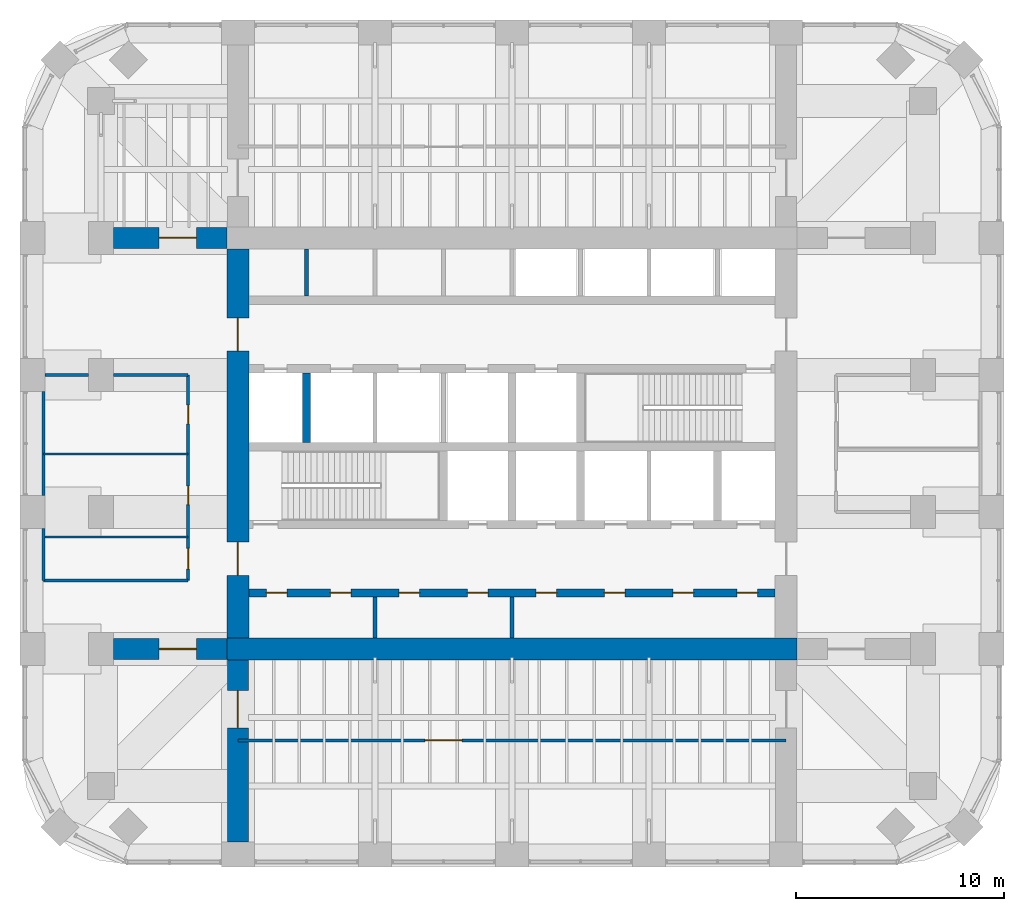
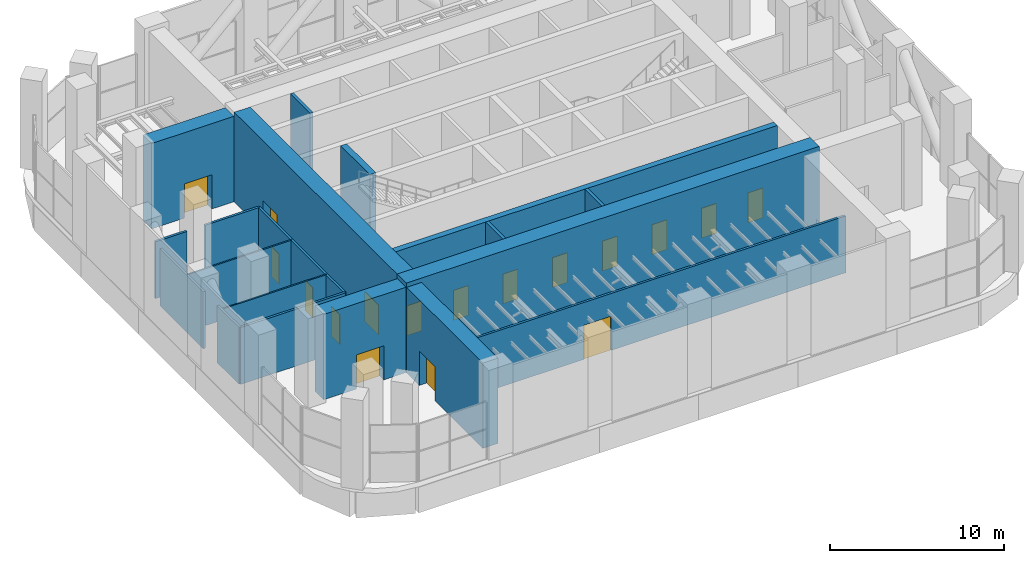
# One storey, part 11 of 15: 19 walls, 17 doors, 17 openings.
"""IFC4 building model written with IfcOpenShell, lengths in metres."""

from ifc_helpers import new_model, si_unit, direction, frame, frame_2d, origin, place, context, subcontext, project, spatial, rectangle, extrude, material, layer, layer_set, type_object, element, fill, save


model = new_model("IFC4")

# Units and contexts
model_context = context("Model", 3, precision=1e-05, world=origin(), true_north=direction((0.0, 1.0)))
body_context = subcontext(model_context, "Body", "Model", "MODEL_VIEW")
ifc_project = project(units=[si_unit("LENGTHUNIT", "METRE"), si_unit("AREAUNIT", "SQUARE_METRE"), si_unit("VOLUMEUNIT", "CUBIC_METRE"), si_unit("PLANEANGLEUNIT", "RADIAN"), si_unit("MASSUNIT", "GRAM", prefix="KILO")], contexts=[model_context])

# Site, building, storey
site_placement = place(None, origin())
site = spatial("IfcSite", under=ifc_project, at=site_placement, CompositionType="ELEMENT")
building_placement = place(site_placement, origin())
building = spatial("IfcBuilding", under=site, at=building_placement, Name="Cobogo Forest Laboratory Tower", CompositionType="ELEMENT")
storey_placement = place(building_placement, frame((0.0, 0.0, 222.89990234375)))
storey = spatial("IfcBuildingStorey", under=building, at=storey_placement, Name="L51", CompositionType="ELEMENT", Elevation=222.89990234375)

# Wall, openings, doors
ifc_material_1 = material(Name="Concrete HA-50 (C50/60)", Category="concrete")
ifc_layer_1 = layer(ifc_material_1, 0.39990234375)
ifc_layer_set_1 = layer_set([ifc_layer_1], Name="CI400 core inner wall 400")
wall_type_1 = type_object("IfcWallType", Name="CI400 core inner wall 400", PredefinedType="SHEAR", material=ifc_layer_set_1)
wall_1_placement = place(storey_placement, frame((13.72509765625, 15.89990234375, 0.0), z_axis=(0.0, 0.0, 1.0), x_axis=(1.0, 0.0, 0.0)))
wall_1 = element("IfcWall", 1, at=wall_1_placement, inside=storey, type_object=wall_type_1, Name="Core wall CI-15.9 L51", PredefinedType="SHEAR", context=body_context, shape_type="SweptSolid", body=[
    extrude(rectangle(XDim=25.349853515625, YDim=0.39990234375, at=frame_2d((12.6748046875, 0.0))), origin(), (0.0, 0.0, 1.0), 6.300048828125),
])
opening_1_placement = place(wall_1_placement, frame((0.83740234375, 0.0, 0.0)))
opening_1 = element("IfcOpeningElement", 2, at=opening_1_placement, cuts=wall_1, Name="Opening L51-D06", PredefinedType="OPENING", context=body_context, shape_type="SweptSolid", body=[
    extrude(rectangle(XDim=1.0, YDim=2.10009765625, at=frame_2d((0.5, 1.050048828125))), frame((0.0, 0.2099609375, 0.0), z_axis=(0.0, -1.0, 0.0), x_axis=(1.0, 0.0, 0.0)), (0.0, 0.0, 1.0), 0.419921875),
])
opening_2_placement = place(wall_1_placement, frame((3.925048828125, 0.0, 0.0)))
opening_2 = element("IfcOpeningElement", 3, at=opening_2_placement, cuts=wall_1, Name="Opening L51-D07", PredefinedType="OPENING", context=body_context, shape_type="SweptSolid", body=[
    extrude(rectangle(XDim=1.0, YDim=2.10009765625, at=frame_2d((0.5, 1.050048828125))), frame((0.0, 0.2099609375, 0.0), z_axis=(0.0, -1.0, 0.0), x_axis=(1.0, 0.0, 0.0)), (0.0, 0.0, 1.0), 0.419921875),
])
opening_3_placement = place(wall_1_placement, frame((7.22509765625, 0.0, 0.0)))
opening_3 = element("IfcOpeningElement", 4, at=opening_3_placement, cuts=wall_1, Name="Opening L51-D08", PredefinedType="OPENING", context=body_context, shape_type="SweptSolid", body=[
    extrude(rectangle(XDim=1.0, YDim=2.10009765625, at=frame_2d((0.5, 1.050048828125))), frame((0.0, 0.2099609375, 0.0), z_axis=(0.0, -1.0, 0.0), x_axis=(1.0, 0.0, 0.0)), (0.0, 0.0, 1.0), 0.419921875),
])
opening_4_placement = place(wall_1_placement, frame((10.52490234375, 0.0, 0.0)))
opening_4 = element("IfcOpeningElement", 5, at=opening_4_placement, cuts=wall_1, Name="Opening L51-D09", PredefinedType="OPENING", context=body_context, shape_type="SweptSolid", body=[
    extrude(rectangle(XDim=1.0, YDim=2.10009765625, at=frame_2d((0.5, 1.050048828125))), frame((0.0, 0.2099609375, 0.0), z_axis=(0.0, -1.0, 0.0), x_axis=(1.0, 0.0, 0.0)), (0.0, 0.0, 1.0), 0.419921875),
])
opening_5_placement = place(wall_1_placement, frame((13.824951171875, 0.0, 0.0)))
opening_5 = element("IfcOpeningElement", 6, at=opening_5_placement, cuts=wall_1, Name="Opening L51-D10", PredefinedType="OPENING", context=body_context, shape_type="SweptSolid", body=[
    extrude(rectangle(XDim=1.0, YDim=2.10009765625, at=frame_2d((0.5, 1.050048828125))), frame((0.0, 0.2099609375, 0.0), z_axis=(0.0, -1.0, 0.0), x_axis=(1.0, 0.0, 0.0)), (0.0, 0.0, 1.0), 0.419921875),
])
opening_6_placement = place(wall_1_placement, frame((17.125, 0.0, 0.0)))
opening_6 = element("IfcOpeningElement", 7, at=opening_6_placement, cuts=wall_1, Name="Opening L51-D11", PredefinedType="OPENING", context=body_context, shape_type="SweptSolid", body=[
    extrude(rectangle(XDim=1.0, YDim=2.10009765625, at=frame_2d((0.5, 1.050048828125))), frame((0.0, 0.2099609375, 0.0), z_axis=(0.0, -1.0, 0.0), x_axis=(1.0, 0.0, 0.0)), (0.0, 0.0, 1.0), 0.419921875),
])
opening_7_placement = place(wall_1_placement, frame((20.425048828125, 0.0, 0.0)))
opening_7 = element("IfcOpeningElement", 8, at=opening_7_placement, cuts=wall_1, Name="Opening L51-D12", PredefinedType="OPENING", context=body_context, shape_type="SweptSolid", body=[
    extrude(rectangle(XDim=1.0, YDim=2.10009765625, at=frame_2d((0.5, 1.050048828125))), frame((0.0, 0.2099609375, 0.0), z_axis=(0.0, -1.0, 0.0), x_axis=(1.0, 0.0, 0.0)), (0.0, 0.0, 1.0), 0.419921875),
])
opening_8_placement = place(wall_1_placement, frame((23.512451171875, 0.0, 0.0)))
opening_8 = element("IfcOpeningElement", 9, at=opening_8_placement, cuts=wall_1, Name="Opening L51-D13", PredefinedType="OPENING", context=body_context, shape_type="SweptSolid", body=[
    extrude(rectangle(XDim=1.0, YDim=2.10009765625, at=frame_2d((0.5, 1.050048828125))), frame((0.0, 0.2099609375, 0.0), z_axis=(0.0, -1.0, 0.0), x_axis=(1.0, 0.0, 0.0)), (0.0, 0.0, 1.0), 0.419921875),
])
ifc_material_2 = material(Name="Steel fire door", Category="steel")
door_type_1 = type_object("IfcDoorType", Name="FD1 fire door 1000 EI2 60", OperationType="SINGLE_SWING_LEFT", PredefinedType="DOOR", material=ifc_material_2)
door_1_placement = place(opening_1_placement, origin())
door_1 = element("IfcDoor", 10, at=door_1_placement, inside=storey, type_object=door_type_1, Name="Door L51-SH-LA1", OperationType="SINGLE_SWING_LEFT", OverallHeight=2.10009765625, OverallWidth=1.0, PredefinedType="DOOR", context=body_context, shape_type="SweptSolid", body=[
    extrude(rectangle(XDim=1.0, YDim=2.10009765625, at=frame_2d((0.5, 1.050048828125))), frame((0.0, 0.02490234375, 0.0), z_axis=(0.0, -1.0, 0.0), x_axis=(1.0, 0.0, 0.0)), (0.0, 0.0, 1.0), 0.050048828125),
])
fill(opening_1, door_1)
door_2_placement = place(opening_2_placement, origin())
door_2 = element("IfcDoor", 11, at=door_2_placement, inside=storey, type_object=door_type_1, Name="Door L51-SH-LA2", OperationType="SINGLE_SWING_LEFT", OverallHeight=2.10009765625, OverallWidth=1.0, PredefinedType="DOOR", context=body_context, shape_type="SweptSolid", body=[
    extrude(rectangle(XDim=1.0, YDim=2.10009765625, at=frame_2d((0.5, 1.050048828125))), frame((0.0, 0.02490234375, 0.0), z_axis=(0.0, -1.0, 0.0), x_axis=(1.0, 0.0, 0.0)), (0.0, 0.0, 1.0), 0.050048828125),
])
fill(opening_2, door_2)
door_3_placement = place(opening_3_placement, origin())
door_3 = element("IfcDoor", 12, at=door_3_placement, inside=storey, type_object=door_type_1, Name="Door L51-SH-LA3", OperationType="SINGLE_SWING_LEFT", OverallHeight=2.10009765625, OverallWidth=1.0, PredefinedType="DOOR", context=body_context, shape_type="SweptSolid", body=[
    extrude(rectangle(XDim=1.0, YDim=2.10009765625, at=frame_2d((0.5, 1.050048828125))), frame((0.0, 0.02490234375, 0.0), z_axis=(0.0, -1.0, 0.0), x_axis=(1.0, 0.0, 0.0)), (0.0, 0.0, 1.0), 0.050048828125),
])
fill(opening_3, door_3)
door_4_placement = place(opening_4_placement, origin())
door_4 = element("IfcDoor", 13, at=door_4_placement, inside=storey, type_object=door_type_1, Name="Door L51-SH-LA4", OperationType="SINGLE_SWING_LEFT", OverallHeight=2.10009765625, OverallWidth=1.0, PredefinedType="DOOR", context=body_context, shape_type="SweptSolid", body=[
    extrude(rectangle(XDim=1.0, YDim=2.10009765625, at=frame_2d((0.5, 1.050048828125))), frame((0.0, 0.02490234375, 0.0), z_axis=(0.0, -1.0, 0.0), x_axis=(1.0, 0.0, 0.0)), (0.0, 0.0, 1.0), 0.050048828125),
])
fill(opening_4, door_4)
door_5_placement = place(opening_5_placement, origin())
door_5 = element("IfcDoor", 14, at=door_5_placement, inside=storey, type_object=door_type_1, Name="Door L51-SH-LB1", OperationType="SINGLE_SWING_RIGHT", OverallHeight=2.10009765625, OverallWidth=1.0, PredefinedType="DOOR", context=body_context, shape_type="SweptSolid", body=[
    extrude(rectangle(XDim=1.0, YDim=2.10009765625, at=frame_2d((0.5, 1.050048828125))), frame((0.0, 0.02490234375, 0.0), z_axis=(0.0, -1.0, 0.0), x_axis=(1.0, 0.0, 0.0)), (0.0, 0.0, 1.0), 0.050048828125),
])
fill(opening_5, door_5)
door_6_placement = place(opening_6_placement, origin())
door_6 = element("IfcDoor", 15, at=door_6_placement, inside=storey, type_object=door_type_1, Name="Door L51-SH-LB2", OperationType="SINGLE_SWING_RIGHT", OverallHeight=2.10009765625, OverallWidth=1.0, PredefinedType="DOOR", context=body_context, shape_type="SweptSolid", body=[
    extrude(rectangle(XDim=1.0, YDim=2.10009765625, at=frame_2d((0.5, 1.050048828125))), frame((0.0, 0.02490234375, 0.0), z_axis=(0.0, -1.0, 0.0), x_axis=(1.0, 0.0, 0.0)), (0.0, 0.0, 1.0), 0.050048828125),
])
fill(opening_6, door_6)
door_7_placement = place(opening_7_placement, origin())
door_7 = element("IfcDoor", 16, at=door_7_placement, inside=storey, type_object=door_type_1, Name="Door L51-SH-LB3", OperationType="SINGLE_SWING_RIGHT", OverallHeight=2.10009765625, OverallWidth=1.0, PredefinedType="DOOR", context=body_context, shape_type="SweptSolid", body=[
    extrude(rectangle(XDim=1.0, YDim=2.10009765625, at=frame_2d((0.5, 1.050048828125))), frame((0.0, 0.02490234375, 0.0), z_axis=(0.0, -1.0, 0.0), x_axis=(1.0, 0.0, 0.0)), (0.0, 0.0, 1.0), 0.050048828125),
])
fill(opening_7, door_7)
door_8_placement = place(opening_8_placement, origin())
door_8 = element("IfcDoor", 17, at=door_8_placement, inside=storey, type_object=door_type_1, Name="Door L51-SH-LB4", OperationType="SINGLE_SWING_RIGHT", OverallHeight=2.10009765625, OverallWidth=1.0, PredefinedType="DOOR", context=body_context, shape_type="SweptSolid", body=[
    extrude(rectangle(XDim=1.0, YDim=2.10009765625, at=frame_2d((0.5, 1.050048828125))), frame((0.0, 0.02490234375, 0.0), z_axis=(0.0, -1.0, 0.0), x_axis=(1.0, 0.0, 0.0)), (0.0, 0.0, 1.0), 0.050048828125),
])
fill(opening_8, door_8)

# Walls
wall_2_placement = place(storey_placement, frame((16.5, 23.14990234375, 0.0), z_axis=(0.0, 0.0, 1.0), x_axis=(0.0, 1.0, 0.0)))
element("IfcWall", 18, at=wall_2_placement, inside=storey, type_object=wall_type_1, Name="Core wall CX-16.5 L51", PredefinedType="SHEAR", context=body_context, shape_type="SweptSolid", body=[
    extrude(rectangle(XDim=3.35009765625, YDim=0.39990234375, at=frame_2d((1.675048828125, 0.0))), origin(), (0.0, 0.0, 1.0), 6.300048828125),
])
ifc_layer_2 = layer(ifc_material_1, 1.050048828125)
ifc_layer_set_2 = layer_set([ifc_layer_2], Name="CW1050 core outer wall 1050")
wall_type_2 = type_object("IfcWallType", Name="CW1050 core outer wall 1050", PredefinedType="SHEAR", material=ifc_layer_set_2)
wall_3_placement = place(storey_placement, frame((12.675048828125, 13.199951171875, 0.0), z_axis=(0.0, 0.0, 1.0), x_axis=(1.0, 0.0, 0.0)))
element("IfcWall", 19, at=wall_3_placement, inside=storey, type_object=wall_type_2, Name="Core wall CO-S L51", PredefinedType="SHEAR", context=body_context, shape_type="SweptSolid", body=[
    extrude(rectangle(XDim=27.449951171875, YDim=1.050048828125, at=frame_2d((13.72509765625, 0.0))), origin(), (0.0, 0.0, 1.0), 6.300048828125),
])

# Wall, openings, doors
wall_4_placement = place(storey_placement, frame((13.199951171875, 32.47509765625, 0.0), z_axis=(0.0, 0.0, 1.0), x_axis=(0.0, -1.0, 0.0)))
wall_4 = element("IfcWall", 20, at=wall_4_placement, inside=storey, type_object=wall_type_2, Name="Core wall CO-W L51", PredefinedType="SHEAR", context=body_context, shape_type="SweptSolid", body=[
    extrude(rectangle(XDim=18.75, YDim=1.050048828125, at=frame_2d((9.375, 0.0))), origin(), (0.0, 0.0, 1.0), 6.300048828125),
])
opening_9_placement = place(wall_4_placement, frame((14.125, 0.0, 0.0)))
opening_9 = element("IfcOpeningElement", 21, at=opening_9_placement, cuts=wall_4, Name="Opening L51-D15", PredefinedType="OPENING", context=body_context, shape_type="SweptSolid", body=[
    extrude(rectangle(XDim=1.60009765625, YDim=2.10009765625, at=frame_2d((0.800048828125, 1.050048828125))), frame((0.0, 0.534912109375, 0.0), z_axis=(0.0, -1.0, 0.0), x_axis=(1.0, 0.0, 0.0)), (0.0, 0.0, 1.0), 1.070068359375),
])
opening_10_placement = place(wall_4_placement, frame((3.324951171875, 0.0, 0.0)))
opening_10 = element("IfcOpeningElement", 22, at=opening_10_placement, cuts=wall_4, Name="Opening L51-D25", PredefinedType="OPENING", context=body_context, shape_type="SweptSolid", body=[
    extrude(rectangle(XDim=1.60009765625, YDim=2.10009765625, at=frame_2d((0.800048828125, 1.050048828125))), frame((0.0, 0.534912109375, 0.0), z_axis=(0.0, -1.0, 0.0), x_axis=(1.0, 0.0, 0.0)), (0.0, 0.0, 1.0), 1.070068359375),
])
door_type_2 = type_object("IfcDoorType", Name="DS2 protected lobby door pair 1600 EI2 60", OperationType="DOUBLE_DOOR_DOUBLE_SWING", PredefinedType="DOOR", material=ifc_material_2)
door_9_placement = place(opening_9_placement, origin())
door_9 = element("IfcDoor", 23, at=door_9_placement, inside=storey, type_object=door_type_2, Name="Door L51-CO-W-S", OperationType="DOUBLE_DOOR_DOUBLE_SWING", OverallHeight=2.10009765625, OverallWidth=1.60009765625, PredefinedType="DOOR", context=body_context, shape_type="SweptSolid", body=[
    extrude(rectangle(XDim=1.60009765625, YDim=2.10009765625, at=frame_2d((0.800048828125, 1.050048828125))), frame((0.0, 0.02490234375, 0.0), z_axis=(0.0, -1.0, 0.0), x_axis=(1.0, 0.0, 0.0)), (0.0, 0.0, 1.0), 0.050048828125),
])
fill(opening_9, door_9)
door_10_placement = place(opening_10_placement, origin())
door_10 = element("IfcDoor", 24, at=door_10_placement, inside=storey, type_object=door_type_2, Name="Door L51-CO-W-N", OperationType="DOUBLE_DOOR_DOUBLE_SWING", OverallHeight=2.10009765625, OverallWidth=1.60009765625, PredefinedType="DOOR", context=body_context, shape_type="SweptSolid", body=[
    extrude(rectangle(XDim=1.60009765625, YDim=2.10009765625, at=frame_2d((0.800048828125, 1.050048828125))), frame((0.0, 0.02490234375, 0.0), z_axis=(0.0, -1.0, 0.0), x_axis=(1.0, 0.0, 0.0)), (0.0, 0.0, 1.0), 0.050048828125),
])
fill(opening_10, door_10)

# Wall, opening, door
ifc_layer_3 = layer(ifc_material_1, 1.0)
ifc_layer_set_3 = layer_set([ifc_layer_3], Name="Outrigger wall 1000")
wall_type_3 = type_object("IfcWallType", Name="Outrigger wall 1000", PredefinedType="SHEAR", material=ifc_layer_set_3)
wall_5_placement = place(storey_placement, frame((13.199951171875, 12.675048828125, 0.0), z_axis=(0.0, 0.0, 1.0), x_axis=(0.0, -1.0, 0.0)))
wall_5 = element("IfcWall", 25, at=wall_5_placement, inside=storey, type_object=wall_type_3, Name="Outrigger wall OR-S3 L51", PredefinedType="SHEAR", context=body_context, shape_type="SweptSolid", body=[
    extrude(rectangle(XDim=8.775146484375, YDim=1.0, at=frame_2d((4.3876953125, 0.0))), origin(), (0.0, 0.0, 1.0), 6.0),
])
opening_11_placement = place(wall_5_placement, frame((1.47509765625, 0.0, 0.0)))
opening_11 = element("IfcOpeningElement", 26, at=opening_11_placement, cuts=wall_5, Name="Opening L51-D02", PredefinedType="OPENING", context=body_context, shape_type="SweptSolid", body=[
    extrude(rectangle(XDim=1.800048828125, YDim=2.39990234375, at=frame_2d((0.89990234375, 1.199951171875))), frame((0.0, 0.510009765625, 0.0), z_axis=(0.0, -1.0, 0.0), x_axis=(1.0, 0.0, 0.0)), (0.0, 0.0, 1.0), 1.02001953125),
])
door_type_3 = type_object("IfcDoorType", Name="PD1 plant door pair 1800 EI2 60", OperationType="DOUBLE_DOOR_SINGLE_SWING", PredefinedType="DOOR", material=ifc_material_2)
door_11_placement = place(opening_11_placement, origin())
door_11 = element("IfcDoor", 27, at=door_11_placement, inside=storey, type_object=door_type_3, Name="Door L51-OR-S3", OperationType="DOUBLE_DOOR_SINGLE_SWING", OverallHeight=2.39990234375, OverallWidth=1.800048828125, PredefinedType="DOOR", context=body_context, shape_type="SweptSolid", body=[
    extrude(rectangle(XDim=1.800048828125, YDim=2.39990234375, at=frame_2d((0.89990234375, 1.199951171875))), frame((0.0, 0.02490234375, 0.0), z_axis=(0.0, -1.0, 0.0), x_axis=(1.0, 0.0, 0.0)), (0.0, 0.0, 1.0), 0.050048828125),
])
fill(opening_11, door_11)

wall_6_placement = place(storey_placement, frame((12.675048828125, 13.199951171875, 0.0), z_axis=(0.0, 0.0, 1.0), x_axis=(-1.0, 0.0, 0.0)))
wall_6 = element("IfcWall", 28, at=wall_6_placement, inside=storey, type_object=wall_type_3, Name="Outrigger wall OR-WC L51", PredefinedType="SHEAR", context=body_context, shape_type="SweptSolid", body=[
    extrude(rectangle(XDim=5.47509765625, YDim=1.0, at=frame_2d((2.737548828125, 0.0))), origin(), (0.0, 0.0, 1.0), 6.0),
])
opening_12_placement = place(wall_6_placement, frame((1.47509765625, 0.0, 0.0)))
opening_12 = element("IfcOpeningElement", 29, at=opening_12_placement, cuts=wall_6, Name="Opening L51-D04", PredefinedType="OPENING", context=body_context, shape_type="SweptSolid", body=[
    extrude(rectangle(XDim=1.800048828125, YDim=2.39990234375, at=frame_2d((0.89990234375, 1.199951171875))), frame((0.0, 0.510009765625, 0.0), z_axis=(0.0, -1.0, 0.0), x_axis=(1.0, 0.0, 0.0)), (0.0, 0.0, 1.0), 1.02001953125),
])
door_12_placement = place(opening_12_placement, origin())
door_12 = element("IfcDoor", 30, at=door_12_placement, inside=storey, type_object=door_type_3, Name="Door L51-OR-WC", OperationType="DOUBLE_DOOR_SINGLE_SWING", OverallHeight=2.39990234375, OverallWidth=1.800048828125, PredefinedType="DOOR", context=body_context, shape_type="SweptSolid", body=[
    extrude(rectangle(XDim=1.800048828125, YDim=2.39990234375, at=frame_2d((0.89990234375, 1.199951171875))), frame((0.0, 0.02490234375, 0.0), z_axis=(0.0, -1.0, 0.0), x_axis=(1.0, 0.0, 0.0)), (0.0, 0.0, 1.0), 0.050048828125),
])
fill(opening_12, door_12)

wall_7_placement = place(storey_placement, frame((12.675048828125, 33.0, 0.0), z_axis=(0.0, 0.0, 1.0), x_axis=(-1.0, 0.0, 0.0)))
wall_7 = element("IfcWall", 31, at=wall_7_placement, inside=storey, type_object=wall_type_3, Name="Outrigger wall OR-WF L51", PredefinedType="SHEAR", context=body_context, shape_type="SweptSolid", body=[
    extrude(rectangle(XDim=5.47509765625, YDim=1.0, at=frame_2d((2.737548828125, 0.0))), origin(), (0.0, 0.0, 1.0), 6.0),
])
opening_13_placement = place(wall_7_placement, frame((1.47509765625, 0.0, 0.0)))
opening_13 = element("IfcOpeningElement", 32, at=opening_13_placement, cuts=wall_7, Name="Opening L51-D27", PredefinedType="OPENING", context=body_context, shape_type="SweptSolid", body=[
    extrude(rectangle(XDim=1.800048828125, YDim=2.39990234375, at=frame_2d((0.89990234375, 1.199951171875))), frame((0.0, 0.510009765625, 0.0), z_axis=(0.0, -1.0, 0.0), x_axis=(1.0, 0.0, 0.0)), (0.0, 0.0, 1.0), 1.02001953125),
])
door_13_placement = place(opening_13_placement, origin())
door_13 = element("IfcDoor", 33, at=door_13_placement, inside=storey, type_object=door_type_3, Name="Door L51-OR-WF", OperationType="DOUBLE_DOOR_SINGLE_SWING", OverallHeight=2.39990234375, OverallWidth=1.800048828125, PredefinedType="DOOR", context=body_context, shape_type="SweptSolid", body=[
    extrude(rectangle(XDim=1.800048828125, YDim=2.39990234375, at=frame_2d((0.89990234375, 1.199951171875))), frame((0.0, 0.02490234375, 0.0), z_axis=(0.0, -1.0, 0.0), x_axis=(1.0, 0.0, 0.0)), (0.0, 0.0, 1.0), 0.050048828125),
])
fill(opening_13, door_13)

ifc_material_3 = material(Name="Gypsum board on steel studs", Category="steel")
ifc_layer_4 = layer(ifc_material_3, 0.14990234375)
ifc_layer_set_4 = layer_set([ifc_layer_4], Name="PT1 laboratory partition 150")
wall_type_4 = type_object("IfcWallType", Name="PT1 laboratory partition 150", PredefinedType="PARTITIONING", material=ifc_layer_set_4)
wall_8_placement = place(storey_placement, frame((13.199951171875, 8.800048828125, 0.0), z_axis=(0.0, 0.0, 1.0), x_axis=(1.0, 0.0, 0.0)))
wall_8 = element("IfcWall", 34, at=wall_8_placement, inside=storey, type_object=wall_type_4, Name="Partition PL-S L51", PredefinedType="PARTITIONING", context=body_context, shape_type="SweptSolid", body=[
    extrude(rectangle(XDim=26.400146484375, YDim=0.14990234375, at=frame_2d((13.2001953125, 0.0))), origin(), (0.0, 0.0, 1.0), 4.0),
])
opening_14_placement = place(wall_8_placement, frame((9.0, 0.0, 0.0)))
opening_14 = element("IfcOpeningElement", 35, at=opening_14_placement, cuts=wall_8, Name="Opening L51-D01", PredefinedType="OPENING", context=body_context, shape_type="SweptSolid", body=[
    extrude(rectangle(XDim=1.800048828125, YDim=2.39990234375, at=frame_2d((0.89990234375, 1.199951171875))), frame((0.0, 0.0849609375, 0.0), z_axis=(0.0, -1.0, 0.0), x_axis=(1.0, 0.0, 0.0)), (0.0, 0.0, 1.0), 0.169921875),
])
door_14_placement = place(opening_14_placement, origin())
door_14 = element("IfcDoor", 36, at=door_14_placement, inside=storey, type_object=door_type_3, Name="Door L51-SI", OperationType="DOUBLE_DOOR_SINGLE_SWING", OverallHeight=2.39990234375, OverallWidth=1.800048828125, PredefinedType="DOOR", context=body_context, shape_type="SweptSolid", body=[
    extrude(rectangle(XDim=1.800048828125, YDim=2.39990234375, at=frame_2d((0.89990234375, 1.199951171875))), frame((0.0, 0.02490234375, 0.0), z_axis=(0.0, -1.0, 0.0), x_axis=(1.0, 0.0, 0.0)), (0.0, 0.0, 1.0), 0.050048828125),
])
fill(opening_14, door_14)

# Walls
wall_9_placement = place(storey_placement, frame((10.800048828125, 16.5, 0.0), z_axis=(0.0, 0.0, 1.0), x_axis=(-1.0, 0.0, 0.0)))
element("IfcWall", 37, at=wall_9_placement, inside=storey, type_object=wall_type_4, Name="Partition POD-WCA-S-1 L51", PredefinedType="PARTITIONING", context=body_context, shape_type="SweptSolid", body=[
    extrude(rectangle(XDim=6.965087890625, YDim=0.14990234375, at=frame_2d((3.482421875, 0.0))), origin(), (0.0, 0.0, 1.0), 4.0),
])
wall_10_placement = place(storey_placement, frame((3.89990234375, 26.39990234375, 0.0), z_axis=(0.0, 0.0, 1.0), x_axis=(1.0, 0.0, 0.0)))
element("IfcWall", 38, at=wall_10_placement, inside=storey, type_object=wall_type_4, Name="Partition POD-WCA-N-1 L51", PredefinedType="PARTITIONING", context=body_context, shape_type="SweptSolid", body=[
    extrude(rectangle(XDim=2.10009765625, YDim=0.14990234375, at=frame_2d((1.050048828125, 0.0))), origin(), (0.0, 0.0, 1.0), 4.0),
])
wall_11_placement = place(storey_placement, frame((7.199951171875, 26.39990234375, 0.0), z_axis=(0.0, 0.0, 1.0), x_axis=(1.0, 0.0, 0.0)))
element("IfcWall", 39, at=wall_11_placement, inside=storey, type_object=wall_type_4, Name="Partition POD-WCA-N-2 L51", PredefinedType="PARTITIONING", context=body_context, shape_type="SweptSolid", body=[
    extrude(rectangle(XDim=3.60009765625, YDim=0.14990234375, at=frame_2d((1.800048828125, 0.0))), origin(), (0.0, 0.0, 1.0), 4.0),
])
wall_12_placement = place(storey_placement, frame((3.8349609375, 16.5, 0.0), z_axis=(0.0, 0.0, 1.0), x_axis=(0.0, 1.0, 0.0)))
element("IfcWall", 40, at=wall_12_placement, inside=storey, type_object=wall_type_4, Name="Partition POD-WCA-W-1 L51", PredefinedType="PARTITIONING", context=body_context, shape_type="SweptSolid", body=[
    extrude(rectangle(XDim=2.5, YDim=0.14990234375, at=frame_2d((1.25, 0.0))), origin(), (0.0, 0.0, 1.0), 4.0),
])
wall_13_placement = place(storey_placement, frame((3.8349609375, 20.60009765625, 0.0), z_axis=(0.0, 0.0, 1.0), x_axis=(0.0, 1.0, 0.0)))
element("IfcWall", 41, at=wall_13_placement, inside=storey, type_object=wall_type_4, Name="Partition POD-WCA-W-2 L51", PredefinedType="PARTITIONING", context=body_context, shape_type="SweptSolid", body=[
    extrude(rectangle(XDim=5.0, YDim=0.14990234375, at=frame_2d((2.5, 0.0))), origin(), (0.0, 0.0, 1.0), 4.0),
])

# Wall, openings, doors
wall_14_placement = place(storey_placement, frame((10.800048828125, 26.39990234375, 0.0), z_axis=(0.0, 0.0, 1.0), x_axis=(0.0, -1.0, 0.0)))
wall_14 = element("IfcWall", 42, at=wall_14_placement, inside=storey, type_object=wall_type_4, Name="Partition POD-WCA-E-1 L51", PredefinedType="PARTITIONING", context=body_context, shape_type="SweptSolid", body=[
    extrude(rectangle(XDim=9.89990234375, YDim=0.14990234375, at=frame_2d((4.949951171875, 0.0))), origin(), (0.0, 0.0, 1.0), 4.0),
])
opening_15_placement = place(wall_14_placement, frame((8.35009765625, 0.0, 0.0)))
opening_15 = element("IfcOpeningElement", 43, at=opening_15_placement, cuts=wall_14, Name="Opening L51-D14", PredefinedType="OPENING", context=body_context, shape_type="SweptSolid", body=[
    extrude(rectangle(XDim=1.0, YDim=2.10009765625, at=frame_2d((0.5, 1.050048828125))), frame((0.0, 0.0849609375, 0.0), z_axis=(0.0, -1.0, 0.0), x_axis=(1.0, 0.0, 0.0)), (0.0, 0.0, 1.0), 0.169921875),
])
opening_16_placement = place(wall_14_placement, frame((5.35009765625, 0.0, 0.0)))
opening_16 = element("IfcOpeningElement", 44, at=opening_16_placement, cuts=wall_14, Name="Opening L51-D20", PredefinedType="OPENING", context=body_context, shape_type="SweptSolid", body=[
    extrude(rectangle(XDim=0.89990234375, YDim=2.10009765625, at=frame_2d((0.449951171875, 1.050048828125))), frame((0.0, 0.0849609375, 0.0), z_axis=(0.0, -1.0, 0.0), x_axis=(1.0, 0.0, 0.0)), (0.0, 0.0, 1.0), 0.169921875),
])
opening_17_placement = place(wall_14_placement, frame((1.449951171875, 0.0, 0.0)))
opening_17 = element("IfcOpeningElement", 45, at=opening_17_placement, cuts=wall_14, Name="Opening L51-D22", PredefinedType="OPENING", context=body_context, shape_type="SweptSolid", body=[
    extrude(rectangle(XDim=0.89990234375, YDim=2.10009765625, at=frame_2d((0.449951171875, 1.050048828125))), frame((0.0, 0.0849609375, 0.0), z_axis=(0.0, -1.0, 0.0), x_axis=(1.0, 0.0, 0.0)), (0.0, 0.0, 1.0), 0.169921875),
])
ifc_material_4 = material(Name="Timber fire door", Category="wood")
door_type_4 = type_object("IfcDoorType", Name="FD3 toilet fire door 900 EI2 30", OperationType="SINGLE_SWING_LEFT", PredefinedType="DOOR", material=ifc_material_4)
door_15_placement = place(opening_16_placement, origin())
door_15 = element("IfcDoor", 46, at=door_15_placement, inside=storey, type_object=door_type_4, Name="Door L51-WCF", OperationType="SINGLE_SWING_RIGHT", OverallHeight=2.10009765625, OverallWidth=0.89990234375, PredefinedType="DOOR", context=body_context, shape_type="SweptSolid", body=[
    extrude(rectangle(XDim=0.89990234375, YDim=2.10009765625, at=frame_2d((0.449951171875, 1.050048828125))), frame((0.0, 0.02490234375, 0.0), z_axis=(0.0, -1.0, 0.0), x_axis=(1.0, 0.0, 0.0)), (0.0, 0.0, 1.0), 0.050048828125),
])
fill(opening_16, door_15)
door_16_placement = place(opening_17_placement, origin())
door_16 = element("IfcDoor", 47, at=door_16_placement, inside=storey, type_object=door_type_4, Name="Door L51-WCM", OperationType="SINGLE_SWING_LEFT", OverallHeight=2.10009765625, OverallWidth=0.89990234375, PredefinedType="DOOR", context=body_context, shape_type="SweptSolid", body=[
    extrude(rectangle(XDim=0.89990234375, YDim=2.10009765625, at=frame_2d((0.449951171875, 1.050048828125))), frame((0.0, 0.02490234375, 0.0), z_axis=(0.0, -1.0, 0.0), x_axis=(1.0, 0.0, 0.0)), (0.0, 0.0, 1.0), 0.050048828125),
])
fill(opening_17, door_16)
door_type_5 = type_object("IfcDoorType", Name="FDA1 accessible toilet fire door 1000 EI2 30", OperationType="SINGLE_SWING_RIGHT", PredefinedType="DOOR", material=ifc_material_4)
door_17_placement = place(opening_15_placement, origin())
door_17 = element("IfcDoor", 48, at=door_17_placement, inside=storey, type_object=door_type_5, Name="Door L51-WCA", OperationType="SINGLE_SWING_RIGHT", OverallHeight=2.10009765625, OverallWidth=1.0, PredefinedType="DOOR", context=body_context, shape_type="SweptSolid", body=[
    extrude(rectangle(XDim=1.0, YDim=2.10009765625, at=frame_2d((0.5, 1.050048828125))), frame((0.0, 0.02490234375, 0.0), z_axis=(0.0, -1.0, 0.0), x_axis=(1.0, 0.0, 0.0)), (0.0, 0.0, 1.0), 0.050048828125),
])
fill(opening_15, door_17)

# Walls
ifc_layer_5 = layer(ifc_material_3, 0.10009765625)
ifc_layer_set_5 = layer_set([ifc_layer_5], Name="PT3 toilet partition 100")
wall_type_5 = type_object("IfcWallType", Name="PT3 toilet partition 100", PredefinedType="PARTITIONING", material=ifc_layer_set_5)
for number, where, z_axis, x_axis, name in (
    (49, (3.8349609375, 18.60009765625, 0.0), (0.0, 0.0, 1.0), (1.0, 0.0, 0.0), "Partition POD-WCA-1-1 L51"),
    (50, (3.8349609375, 22.60009765625, 0.0), (0.0, 0.0, 1.0), (1.0, 0.0, 0.0), "Partition POD-WCA-2-1 L51"),
):
    element("IfcWall", number, at=place(storey_placement, frame(where, z_axis=z_axis, x_axis=x_axis)), inside=storey, type_object=wall_type_5, Name=name, PredefinedType="PARTITIONING", context=body_context, shape_type="SweptSolid", body=[
        extrude(rectangle(XDim=6.965087890625, YDim=0.10009765625, at=frame_2d((3.482421875, 0.0))), origin(), (0.0, 0.0, 1.0), 4.0),
    ])
ifc_material_5 = material(Name="Concrete block", Category="concrete")
ifc_layer_6 = layer(ifc_material_5, 0.199951171875)
ifc_layer_set_6 = layer_set([ifc_layer_6], Name="SW200 lift shaft separator 200")
wall_type_6 = type_object("IfcWallType", Name="SW200 lift shaft separator 200", PredefinedType="PARTITIONING", material=ifc_layer_set_6)
wall_15_placement = place(storey_placement, frame((16.5, 30.199951171875, 0.0), z_axis=(0.0, 0.0, 1.0), x_axis=(0.0, 1.0, 0.0)))
element("IfcWall", 51, at=wall_15_placement, inside=storey, type_object=wall_type_6, Name="Core wall SEP-N1 L51", PredefinedType="PARTITIONING", context=body_context, shape_type="SweptSolid", body=[
    extrude(rectangle(XDim=2.275146484375, YDim=0.199951171875, at=frame_2d((1.1376953125, 0.0))), origin(), (0.0, 0.0, 1.0), 6.300048828125),
])
for number, where, z_axis, x_axis, name in (
    (52, (19.800048828125, 13.72509765625, 0.0), (0.0, 0.0, 1.0), (0.0, 1.0, 0.0), "Core wall SEP-S2 L51"),
    (53, (26.39990234375, 13.72509765625, 0.0), (0.0, 0.0, 1.0), (0.0, 1.0, 0.0), "Core wall SEP-S4 L51"),
):
    element("IfcWall", number, at=place(storey_placement, frame(where, z_axis=z_axis, x_axis=x_axis)), inside=storey, type_object=wall_type_6, Name=name, PredefinedType="PARTITIONING", context=body_context, shape_type="SweptSolid", body=[
        extrude(rectangle(XDim=1.974853515625, YDim=0.199951171875, at=frame_2d((0.9873046875, 0.0))), origin(), (0.0, 0.0, 1.0), 6.300048828125),
    ])

save(model, "model.ifc")
